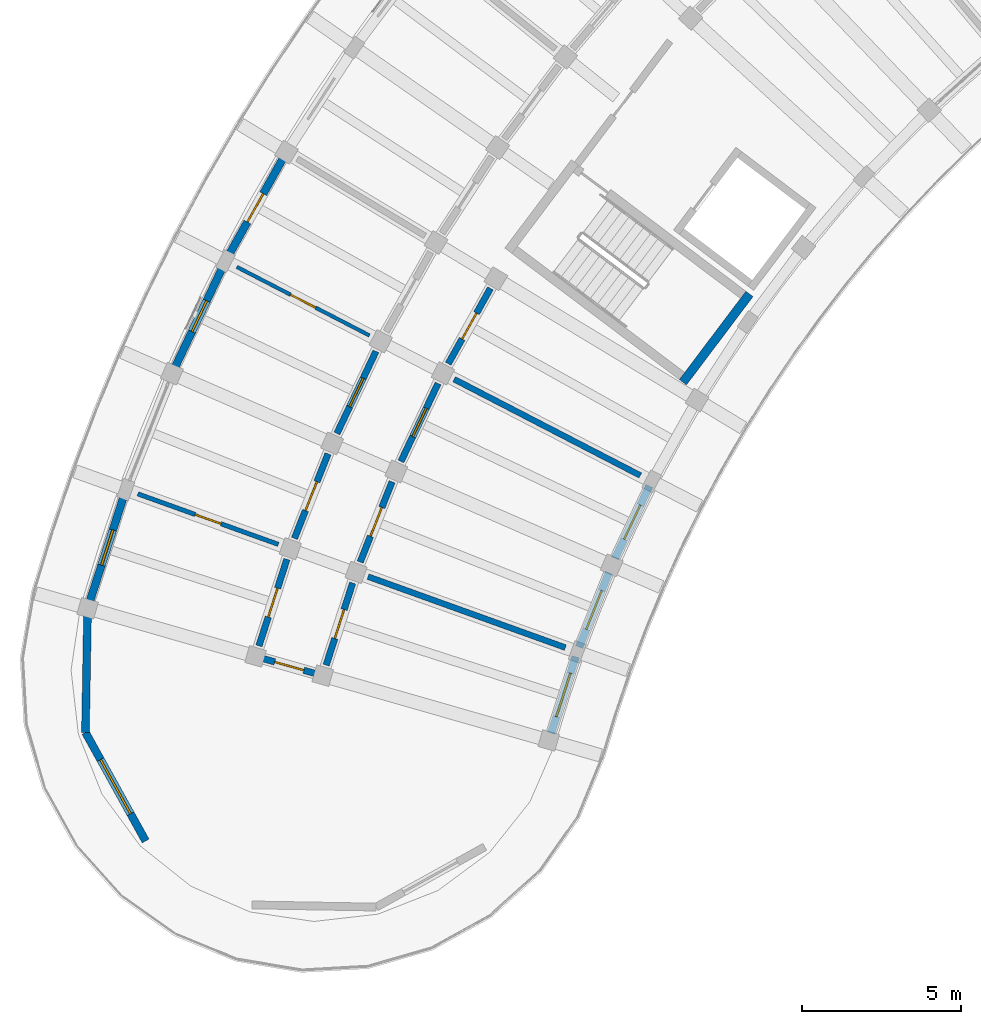
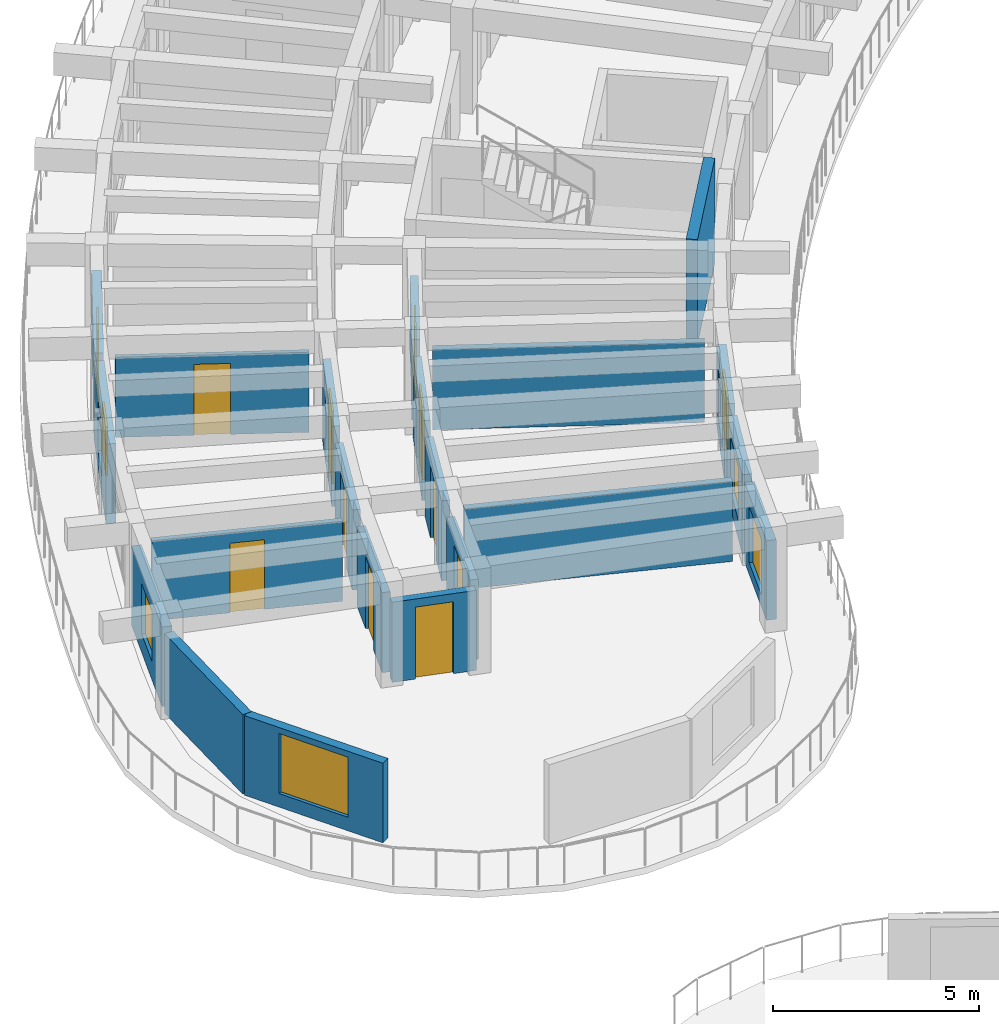
# One storey, part 46 of 81: 21 walls, 11 doors, 6 windows, 17 openings.
"""IFC4 building model written with IfcOpenShell, lengths in metres."""

from ifc_helpers import new_model, si_unit, direction, frame, frame_2d, origin, place, context, subcontext, project, spatial, rectangle, extrude, material, layer, layer_set, type_object, element, fill, save


model = new_model("IFC4")

# Units and contexts
model_context = context("Model", 3, precision=1e-05, world=origin(), true_north=direction((0.0, 1.0)))
body_context = subcontext(model_context, "Body", "Model", "MODEL_VIEW")
ifc_project = project(units=[si_unit("LENGTHUNIT", "METRE"), si_unit("AREAUNIT", "SQUARE_METRE"), si_unit("VOLUMEUNIT", "CUBIC_METRE"), si_unit("PLANEANGLEUNIT", "RADIAN"), si_unit("MASSUNIT", "GRAM", prefix="KILO")], contexts=[model_context])

# Site, building, storey
site_placement = place(None, origin())
site = spatial("IfcSite", under=ifc_project, at=site_placement, CompositionType="ELEMENT")
building_placement = place(site_placement, origin())
building = spatial("IfcBuilding", under=site, at=building_placement, Name="Tanwirah Colonnade Gardens", CompositionType="ELEMENT")
storey_placement = place(building_placement, frame((0.0, 0.0, 18.919921875)))
storey = spatial("IfcBuildingStorey", under=building, at=storey_placement, Name="L05", CompositionType="ELEMENT", Elevation=18.919921875)

# Wall, opening, door
ifc_material_1 = material(Name="Limestone architectural precast concrete C40/50", Category="masonry")
ifc_layer_1 = layer(ifc_material_1, 0.2451171875)
ifc_layer_set_1 = layer_set([ifc_layer_1], Name="Limestone architectural precast concrete C40/50")
wall_type_1 = type_object("IfcWallType", Name="EW-PC245", PredefinedType="SOLIDWALL", material=ifc_layer_set_1)
wall_1_placement = place(storey_placement, frame((13.895751953125, 90.755615234375, 0.0), z_axis=(0.0, 0.0, 1.0), x_axis=(-0.488254917997, -0.872701057093, 0.0)))
wall_1 = element("IfcWall", 1, at=wall_1_placement, inside=storey, type_object=wall_type_1, Name="Block A L05 OUT Precast Facade Wall 14", PredefinedType="SOLIDWALL", context=body_context, shape_type="SweptSolid", body=[
    extrude(rectangle(XDim=3.520751953125, YDim=0.2451171875, at=frame_2d((1.76025390625, 0.0))), origin(), (0.0, 0.0, 1.0), 2.35498046875),
])
opening_1_placement = place(wall_1_placement, frame((1.25048828125, 0.0, 0.0)))
opening_1 = element("IfcOpeningElement", 2, at=opening_1_placement, cuts=wall_1, Name="Opening L05-ED026", PredefinedType="OPENING", context=body_context, shape_type="SweptSolid", body=[
    extrude(rectangle(XDim=1.02001953125, YDim=2.139892578125, at=frame_2d((0.510009765625, 1.06982421875))), frame((0.0, 0.132568359375, 0.0), z_axis=(0.0, -1.0, 0.0), x_axis=(1.0, 0.0, 0.0)), (0.0, 0.0, 1.0), 0.26513671875),
])
ifc_material_2 = material(Name="Bronze aluminium glazed balcony door", Category="aluminium")
door_type_1 = type_object("IfcDoorType", Name="ED-BAL102", OperationType="NOTDEFINED", PredefinedType="DOOR", material=ifc_material_2)
door_1_placement = place(opening_1_placement, origin())
door_1 = element("IfcDoor", 3, at=door_1_placement, inside=storey, type_object=door_type_1, Name="Balcony glazed door L05-ED026", OperationType="SINGLE_SWING_RIGHT", OverallHeight=2.139892578125, OverallWidth=1.02001953125, PredefinedType="DOOR", context=body_context, shape_type="SweptSolid", body=[
    extrude(rectangle(XDim=1.02001953125, YDim=2.139892578125, at=frame_2d((0.510009765625, 1.06982421875))), frame((0.0, 0.02490234375, 0.0), z_axis=(0.0, -1.0, 0.0), x_axis=(1.0, 0.0, 0.0)), (0.0, 0.0, 1.0), 0.050048828125),
])
fill(opening_1, door_1)

# Wall, opening, window
wall_2_placement = place(storey_placement, frame((12.030029296875, 87.39892578125, 0.0), z_axis=(0.0, 0.0, 1.0), x_axis=(-0.429653621352, -0.902993779413, 0.0)))
wall_2 = element("IfcWall", 4, at=wall_2_placement, inside=storey, type_object=wall_type_1, Name="Block A L05 OUT Precast Facade Wall 15", PredefinedType="SOLIDWALL", context=body_context, shape_type="SweptSolid", body=[
    extrude(rectangle(XDim=3.520751953125, YDim=0.2451171875, at=frame_2d((1.76025390625, 0.0))), origin(), (0.0, 0.0, 1.0), 2.35498046875),
])
opening_2_placement = place(wall_2_placement, frame((1.220458984375, 0.0, 0.550048828125)))
opening_2 = element("IfcOpeningElement", 5, at=opening_2_placement, cuts=wall_2, Name="Opening WIN-T15", PredefinedType="OPENING", context=body_context, shape_type="SweptSolid", body=[
    extrude(rectangle(XDim=1.080078125, YDim=1.449951171875, at=frame_2d((0.5400390625, 0.72509765625))), frame((0.0, 0.132568359375, 0.0), z_axis=(0.0, -1.0, 0.0), x_axis=(1.0, 0.0, 0.0)), (0.0, 0.0, 1.0), 0.26513671875),
])
ifc_material_3 = material(Name="Thermally broken bronze aluminium and solar low-E double glazing", Category="aluminium")
window_type_1 = type_object("IfcWindowType", Name="WIN-T15", PartitioningType="SINGLE_PANEL", PredefinedType="WINDOW", material=ifc_material_3)
window_1_placement = place(opening_2_placement, origin())
window_1 = element("IfcWindow", 6, at=window_1_placement, inside=storey, type_object=window_type_1, Name="Facade window A-L05-OUT-15", OverallHeight=1.449951171875, OverallWidth=1.080078125, PartitioningType="SINGLE_PANEL", PredefinedType="WINDOW", context=body_context, shape_type="SweptSolid", body=[
    extrude(rectangle(XDim=1.080078125, YDim=1.449951171875, at=frame_2d((0.5400390625, 0.72509765625))), frame((0.0, 0.030029296875, 0.0), z_axis=(0.0, -1.0, 0.0), x_axis=(1.0, 0.0, 0.0)), (0.0, 0.0, 1.0), 0.06005859375),
])
fill(opening_2, window_1)

wall_3_placement = place(storey_placement, frame((25.444091796875, 80.465576171875, 0.0), z_axis=(0.0, 0.0, 1.0), x_axis=(-0.429610836066, -0.903014135844, 0.0)))
wall_3 = element("IfcWall", 7, at=wall_3_placement, inside=storey, type_object=wall_type_1, Name="Block A L05 IN Precast Facade Wall 15", PredefinedType="SOLIDWALL", context=body_context, shape_type="SweptSolid", body=[
    extrude(rectangle(XDim=2.525390625, YDim=0.2451171875, at=frame_2d((1.2626953125, 0.0))), origin(), (0.0, 0.0, 1.0), 2.35498046875),
])
opening_3_placement = place(wall_3_placement, frame((0.66259765625, 0.0, 0.550048828125)))
opening_3 = element("IfcOpeningElement", 8, at=opening_3_placement, cuts=wall_3, Name="Opening WIN-U02", PredefinedType="OPENING", context=body_context, shape_type="SweptSolid", body=[
    extrude(rectangle(XDim=1.199951171875, YDim=1.510009765625, at=frame_2d((0.60009765625, 0.7548828125))), frame((0.0, 0.132568359375, 0.0), z_axis=(0.0, -1.0, 0.0), x_axis=(1.0, 0.0, 0.0)), (0.0, 0.0, 1.0), 0.26513671875),
])
window_type_2 = type_object("IfcWindowType", Name="WIN-U02", PartitioningType="DOUBLE_PANEL_VERTICAL", PredefinedType="WINDOW", material=ifc_material_3)
window_2_placement = place(opening_3_placement, origin())
window_2 = element("IfcWindow", 9, at=window_2_placement, inside=storey, type_object=window_type_2, Name="Facade window A-L05-IN-15", OverallHeight=1.510009765625, OverallWidth=1.199951171875, PartitioningType="SINGLE_PANEL", PredefinedType="WINDOW", context=body_context, shape_type="SweptSolid", body=[
    extrude(rectangle(XDim=1.199951171875, YDim=1.510009765625, at=frame_2d((0.60009765625, 0.7548828125))), frame((0.0, 0.030029296875, 0.0), z_axis=(0.0, -1.0, 0.0), x_axis=(1.0, 0.0, 0.0)), (0.0, 0.0, 1.0), 0.06005859375),
])
fill(opening_3, window_2)

wall_4_placement = place(storey_placement, frame((24.163330078125, 77.736328125, 0.0), z_axis=(0.0, 0.0, 1.0), x_axis=(-0.369122600107, -0.92938071106, 0.0)))
wall_4 = element("IfcWall", 10, at=wall_4_placement, inside=storey, type_object=wall_type_1, Name="Block A L05 IN Precast Facade Wall 16", PredefinedType="SOLIDWALL", context=body_context, shape_type="SweptSolid", body=[
    extrude(rectangle(XDim=2.525146484375, YDim=0.2451171875, at=frame_2d((1.2626953125, 0.0))), origin(), (0.0, 0.0, 1.0), 2.35498046875),
])
opening_4_placement = place(wall_4_placement, frame((0.6025390625, 0.0, 0.550048828125)))
opening_4 = element("IfcOpeningElement", 11, at=opening_4_placement, cuts=wall_4, Name="Opening WIN-U05", PredefinedType="OPENING", context=body_context, shape_type="SweptSolid", body=[
    extrude(rectangle(XDim=1.320068359375, YDim=1.5849609375, at=frame_2d((0.66015625, 0.79248046875))), frame((0.0, 0.132568359375, 0.0), z_axis=(0.0, -1.0, 0.0), x_axis=(1.0, 0.0, 0.0)), (0.0, 0.0, 1.0), 0.26513671875),
])
window_type_3 = type_object("IfcWindowType", Name="WIN-U05", PartitioningType="DOUBLE_PANEL_VERTICAL", PredefinedType="WINDOW", material=ifc_material_3)
window_3_placement = place(opening_4_placement, origin())
window_3 = element("IfcWindow", 12, at=window_3_placement, inside=storey, type_object=window_type_3, Name="Facade window A-L05-IN-16", OverallHeight=1.5849609375, OverallWidth=1.320068359375, PartitioningType="SINGLE_PANEL", PredefinedType="WINDOW", context=body_context, shape_type="SweptSolid", body=[
    extrude(rectangle(XDim=1.320068359375, YDim=1.5849609375, at=frame_2d((0.66015625, 0.79248046875))), frame((0.0, 0.030029296875, 0.0), z_axis=(0.0, -1.0, 0.0), x_axis=(1.0, 0.0, 0.0)), (0.0, 0.0, 1.0), 0.06005859375),
])
fill(opening_4, window_3)

wall_5_placement = place(storey_placement, frame((8.91357421875, 80.19775390625, 0.0), z_axis=(0.0, 0.0, 1.0), x_axis=(-0.30720538788, -0.951643236543, 0.0)))
wall_5 = element("IfcWall", 13, at=wall_5_placement, inside=storey, type_object=wall_type_1, Name="Block A L05 OUT Precast Facade Wall 17", PredefinedType="SOLIDWALL", context=body_context, shape_type="SweptSolid", body=[
    extrude(rectangle(XDim=3.5205078125, YDim=0.2451171875, at=frame_2d((1.76025390625, 0.0))), origin(), (0.0, 0.0, 1.0), 2.35498046875),
])
opening_5_placement = place(wall_5_placement, frame((1.180419921875, 0.0, 0.550048828125)))
opening_5 = element("IfcOpeningElement", 14, at=opening_5_placement, cuts=wall_5, Name="Opening WIN-U01", PredefinedType="OPENING", context=body_context, shape_type="SweptSolid", body=[
    extrude(rectangle(XDim=1.159912109375, YDim=1.485107421875, at=frame_2d((0.580078125, 0.74267578125))), frame((0.0, 0.132568359375, 0.0), z_axis=(0.0, -1.0, 0.0), x_axis=(1.0, 0.0, 0.0)), (0.0, 0.0, 1.0), 0.26513671875),
])
window_type_4 = type_object("IfcWindowType", Name="WIN-U01", PartitioningType="DOUBLE_PANEL_VERTICAL", PredefinedType="WINDOW", material=ifc_material_3)
window_4_placement = place(opening_5_placement, origin())
window_4 = element("IfcWindow", 15, at=window_4_placement, inside=storey, type_object=window_type_4, Name="Facade window A-L05-OUT-17", OverallHeight=1.485107421875, OverallWidth=1.159912109375, PartitioningType="SINGLE_PANEL", PredefinedType="WINDOW", context=body_context, shape_type="SweptSolid", body=[
    extrude(rectangle(XDim=1.159912109375, YDim=1.485107421875, at=frame_2d((0.580078125, 0.74267578125))), frame((0.0, 0.030029296875, 0.0), z_axis=(0.0, -1.0, 0.0), x_axis=(1.0, 0.0, 0.0)), (0.0, 0.0, 1.0), 0.06005859375),
])
fill(opening_5, window_4)

wall_6_placement = place(storey_placement, frame((23.122802734375, 75.08837890625, 0.0), z_axis=(0.0, 0.0, 1.0), x_axis=(-0.30716379336, -0.951656662903, 0.0)))
wall_6 = element("IfcWall", 16, at=wall_6_placement, inside=storey, type_object=wall_type_1, Name="Block A L05 IN Precast Facade Wall 17", PredefinedType="SOLIDWALL", context=body_context, shape_type="SweptSolid", body=[
    extrude(rectangle(XDim=2.525146484375, YDim=0.2451171875, at=frame_2d((1.2626953125, 0.0))), origin(), (0.0, 0.0, 1.0), 2.35498046875),
])
opening_6_placement = place(wall_6_placement, frame((0.54248046875, 0.0, 0.35009765625)))
opening_6 = element("IfcOpeningElement", 17, at=opening_6_placement, cuts=wall_6, Name="Opening WIN-U08", PredefinedType="OPENING", context=body_context, shape_type="SweptSolid", body=[
    extrude(rectangle(XDim=1.43994140625, YDim=1.659912109375, at=frame_2d((0.719970703125, 0.830078125))), frame((0.0, 0.132568359375, 0.0), z_axis=(0.0, -1.0, 0.0), x_axis=(1.0, 0.0, 0.0)), (0.0, 0.0, 1.0), 0.26513671875),
])
window_type_5 = type_object("IfcWindowType", Name="WIN-U08", PartitioningType="DOUBLE_PANEL_VERTICAL", PredefinedType="WINDOW", material=ifc_material_3)
window_5_placement = place(opening_6_placement, origin())
window_5 = element("IfcWindow", 18, at=window_5_placement, inside=storey, type_object=window_type_5, Name="Facade window A-L05-IN-17", OverallHeight=1.659912109375, OverallWidth=1.43994140625, PartitioningType="SINGLE_PANEL", PredefinedType="WINDOW", context=body_context, shape_type="SweptSolid", body=[
    extrude(rectangle(XDim=1.43994140625, YDim=1.659912109375, at=frame_2d((0.719970703125, 0.830078125))), frame((0.0, 0.030029296875, 0.0), z_axis=(0.0, -1.0, 0.0), x_axis=(1.0, 0.0, 0.0)), (0.0, 0.0, 1.0), 0.06005859375),
])
fill(opening_6, window_5)

wall_7_placement = place(storey_placement, frame((9.58349609375, 69.28857421875, 0.0), z_axis=(0.0, 0.0, 1.0), x_axis=(-0.484841794757, 0.874601871743, 0.0)))
wall_7 = element("IfcWall", 19, at=wall_7_placement, inside=storey, type_object=wall_type_1, Name="Block A L05 END Rounded End Wall 4", PredefinedType="SOLIDWALL", context=body_context, shape_type="SweptSolid", body=[
    extrude(rectangle(XDim=3.907958984375, YDim=0.2451171875, at=frame_2d((1.9541015625, 0.0))), origin(), (0.0, 0.0, 1.0), 2.35498046875),
])
opening_7_placement = place(wall_7_placement, frame((0.97900390625, 0.0, 0.39990234375)))
opening_7 = element("IfcOpeningElement", 20, at=opening_7_placement, cuts=wall_7, Name="Opening WIN-END2", PredefinedType="OPENING", context=body_context, shape_type="SweptSolid", body=[
    extrude(rectangle(XDim=1.949951171875, YDim=1.780029296875, at=frame_2d((0.97509765625, 0.89013671875))), frame((0.0, 0.132568359375, 0.0), z_axis=(0.0, -1.0, 0.0), x_axis=(1.0, 0.0, 0.0)), (0.0, 0.0, 1.0), 0.26513671875),
])
window_type_6 = type_object("IfcWindowType", Name="WIN-END2", PartitioningType="TRIPLE_PANEL_VERTICAL", PredefinedType="WINDOW", material=ifc_material_3)
window_6_placement = place(opening_7_placement, origin())
window_6 = element("IfcWindow", 21, at=window_6_placement, inside=storey, type_object=window_type_6, Name="Rounded corner window A-L05-END-4", OverallHeight=1.780029296875, OverallWidth=1.949951171875, PartitioningType="SINGLE_PANEL", PredefinedType="WINDOW", context=body_context, shape_type="SweptSolid", body=[
    extrude(rectangle(XDim=1.949951171875, YDim=1.780029296875, at=frame_2d((0.97509765625, 0.89013671875))), frame((0.0, 0.030029296875, 0.0), z_axis=(0.0, -1.0, 0.0), x_axis=(1.0, 0.0, 0.0)), (0.0, 0.0, 1.0), 0.06005859375),
])
fill(opening_7, window_6)

# Wall
wall_8_placement = place(storey_placement, frame((7.688720703125, 72.70654296875, 0.0), z_axis=(0.0, 0.0, 1.0), x_axis=(0.017428315893, 0.999848115368, 0.0)))
element("IfcWall", 22, at=wall_8_placement, inside=storey, type_object=wall_type_1, Name="Block A L05 END Rounded End Wall 5", PredefinedType="SOLIDWALL", context=body_context, shape_type="SweptSolid", body=[
    extrude(rectangle(XDim=3.908203125, YDim=0.2451171875, at=frame_2d((1.9541015625, 0.0))), origin(), (0.0, 0.0, 1.0), 2.35498046875),
])

# Wall, opening, door
ifc_material_4 = material(Name="Precast concrete C40/50", Category="concrete")
ifc_layer_2 = layer(ifc_material_4, 0.205078125)
ifc_layer_set_2 = layer_set([ifc_layer_2], Name="Precast concrete C40/50")
wall_type_2 = type_object("IfcWallType", Name="IW-CORR205", PredefinedType="PARTITIONING", material=ifc_layer_set_2)
wall_9_placement = place(storey_placement, frame((20.436767578125, 86.685302734375, 0.0), z_axis=(0.0, 0.0, 1.0), x_axis=(-0.48819576874, -0.872734147025, 0.0)))
wall_9 = element("IfcWall", 23, at=wall_9_placement, inside=storey, type_object=wall_type_2, Name="Block A L05 IN Corridor Wall 14", PredefinedType="PARTITIONING", context=body_context, shape_type="SweptSolid", body=[
    extrude(rectangle(XDim=2.718017578125, YDim=0.205078125, at=frame_2d((1.35888671875, 0.0))), origin(), (0.0, 0.0, 1.0), 2.3701171875),
])
opening_8_placement = place(wall_9_placement, frame((0.89404296875, 0.0, 0.0)))
opening_8 = element("IfcOpeningElement", 24, at=opening_8_placement, cuts=wall_9, Name="Opening L05-AD461", PredefinedType="OPENING", context=body_context, shape_type="SweptSolid", body=[
    extrude(rectangle(XDim=0.929931640625, YDim=2.1201171875, at=frame_2d((0.46484375, 1.06005859375))), frame((0.0, 0.112548828125, 0.0), z_axis=(0.0, -1.0, 0.0), x_axis=(1.0, 0.0, 0.0)), (0.0, 0.0, 1.0), 0.22509765625),
])
ifc_material_5 = material(Name="Solid oak fire-resisting apartment entrance door")
door_type_2 = type_object("IfcDoorType", Name="ID-FLT093", OperationType="NOTDEFINED", PredefinedType="DOOR", material=ifc_material_5)
door_2_placement = place(opening_8_placement, origin())
door_2 = element("IfcDoor", 25, at=door_2_placement, inside=storey, type_object=door_type_2, Name="Apartment corridor door L05-AD461", OperationType="SINGLE_SWING_LEFT", OverallHeight=2.1201171875, OverallWidth=0.929931640625, PredefinedType="DOOR", context=body_context, shape_type="SweptSolid", body=[
    extrude(rectangle(XDim=0.929931640625, YDim=2.1201171875, at=frame_2d((0.46484375, 1.06005859375))), frame((0.0, 0.02490234375, 0.0), z_axis=(0.0, -1.0, 0.0), x_axis=(1.0, 0.0, 0.0)), (0.0, 0.0, 1.0), 0.050048828125),
])
fill(opening_8, door_2)

wall_10_placement = place(storey_placement, frame((16.834228515625, 84.701904296875, 0.0), z_axis=(0.0, 0.0, 1.0), x_axis=(-0.429595933416, -0.90302122566, 0.0)))
wall_10 = element("IfcWall", 26, at=wall_10_placement, inside=storey, type_object=wall_type_2, Name="Block A L05 OUT Corridor Wall 15", PredefinedType="PARTITIONING", context=body_context, shape_type="SweptSolid", body=[
    extrude(rectangle(XDim=2.863037109375, YDim=0.205078125, at=frame_2d((1.431640625, 0.0))), origin(), (0.0, 0.0, 1.0), 2.3701171875),
])
opening_9_placement = place(wall_10_placement, frame((0.9365234375, 0.0, 0.0)))
opening_9 = element("IfcOpeningElement", 27, at=opening_9_placement, cuts=wall_10, Name="Opening L05-AD463", PredefinedType="OPENING", context=body_context, shape_type="SweptSolid", body=[
    extrude(rectangle(XDim=0.989990234375, YDim=2.159912109375, at=frame_2d((0.4951171875, 1.080078125))), frame((0.0, 0.112548828125, 0.0), z_axis=(0.0, -1.0, 0.0), x_axis=(1.0, 0.0, 0.0)), (0.0, 0.0, 1.0), 0.22509765625),
])
door_type_3 = type_object("IfcDoorType", Name="ID-FLT099", OperationType="NOTDEFINED", PredefinedType="DOOR", material=ifc_material_5)
door_3_placement = place(opening_9_placement, origin())
door_3 = element("IfcDoor", 28, at=door_3_placement, inside=storey, type_object=door_type_3, Name="Apartment corridor door L05-AD463", OperationType="SINGLE_SWING_LEFT", OverallHeight=2.159912109375, OverallWidth=0.989990234375, PredefinedType="DOOR", context=body_context, shape_type="SweptSolid", body=[
    extrude(rectangle(XDim=0.989990234375, YDim=2.159912109375, at=frame_2d((0.4951171875, 1.080078125))), frame((0.0, 0.02490234375, 0.0), z_axis=(0.0, -1.0, 0.0), x_axis=(1.0, 0.0, 0.0)), (0.0, 0.0, 1.0), 0.050048828125),
])
fill(opening_9, door_3)

wall_11_placement = place(storey_placement, frame((18.78857421875, 83.691650390625, 0.0), z_axis=(0.0, 0.0, 1.0), x_axis=(-0.429630211913, -0.90300491749, 0.0)))
wall_11 = element("IfcWall", 29, at=wall_11_placement, inside=storey, type_object=wall_type_2, Name="Block A L05 IN Corridor Wall 15", PredefinedType="PARTITIONING", context=body_context, shape_type="SweptSolid", body=[
    extrude(rectangle(XDim=2.718017578125, YDim=0.205078125, at=frame_2d((1.35888671875, 0.0))), origin(), (0.0, 0.0, 1.0), 2.3701171875),
])
opening_10_placement = place(wall_11_placement, frame((0.864013671875, 0.0, 0.0)))
opening_10 = element("IfcOpeningElement", 30, at=opening_10_placement, cuts=wall_11, Name="Opening L05-AD464", PredefinedType="OPENING", context=body_context, shape_type="SweptSolid", body=[
    extrude(rectangle(XDim=0.989990234375, YDim=2.159912109375, at=frame_2d((0.4951171875, 1.080078125))), frame((0.0, 0.112548828125, 0.0), z_axis=(0.0, -1.0, 0.0), x_axis=(1.0, 0.0, 0.0)), (0.0, 0.0, 1.0), 0.22509765625),
])
door_4_placement = place(opening_10_placement, origin())
door_4 = element("IfcDoor", 31, at=door_4_placement, inside=storey, type_object=door_type_3, Name="Apartment corridor door L05-AD464", OperationType="SINGLE_SWING_RIGHT", OverallHeight=2.159912109375, OverallWidth=0.989990234375, PredefinedType="DOOR", context=body_context, shape_type="SweptSolid", body=[
    extrude(rectangle(XDim=0.989990234375, YDim=2.159912109375, at=frame_2d((0.4951171875, 1.080078125))), frame((0.0, 0.02490234375, 0.0), z_axis=(0.0, -1.0, 0.0), x_axis=(1.0, 0.0, 0.0)), (0.0, 0.0, 1.0), 0.050048828125),
])
fill(opening_10, door_4)

wall_12_placement = place(storey_placement, frame((15.32470703125, 81.47509765625, 0.0), z_axis=(0.0, 0.0, 1.0), x_axis=(-0.369213832442, -0.929344471083, 0.0)))
wall_12 = element("IfcWall", 32, at=wall_12_placement, inside=storey, type_object=wall_type_2, Name="Block A L05 OUT Corridor Wall 16", PredefinedType="PARTITIONING", context=body_context, shape_type="SweptSolid", body=[
    extrude(rectangle(XDim=2.86328125, YDim=0.205078125, at=frame_2d((1.431640625, 0.0))), origin(), (0.0, 0.0, 1.0), 2.3701171875),
])
opening_11_placement = place(wall_12_placement, frame((0.946533203125, 0.0, 0.0)))
opening_11 = element("IfcOpeningElement", 33, at=opening_11_placement, cuts=wall_12, Name="Opening L05-AD465", PredefinedType="OPENING", context=body_context, shape_type="SweptSolid", body=[
    extrude(rectangle(XDim=0.969970703125, YDim=2.14990234375, at=frame_2d((0.48486328125, 1.074951171875))), frame((0.0, 0.112548828125, 0.0), z_axis=(0.0, -1.0, 0.0), x_axis=(1.0, 0.0, 0.0)), (0.0, 0.0, 1.0), 0.22509765625),
])
door_type_4 = type_object("IfcDoorType", Name="ID-FLT097", OperationType="NOTDEFINED", PredefinedType="DOOR", material=ifc_material_5)
door_5_placement = place(opening_11_placement, origin())
door_5 = element("IfcDoor", 34, at=door_5_placement, inside=storey, type_object=door_type_4, Name="Apartment corridor door L05-AD465", OperationType="SINGLE_SWING_RIGHT", OverallHeight=2.14990234375, OverallWidth=0.969970703125, PredefinedType="DOOR", context=body_context, shape_type="SweptSolid", body=[
    extrude(rectangle(XDim=0.969970703125, YDim=2.14990234375, at=frame_2d((0.48486328125, 1.074951171875))), frame((0.0, 0.02490234375, 0.0), z_axis=(0.0, -1.0, 0.0), x_axis=(1.0, 0.0, 0.0)), (0.0, 0.0, 1.0), 0.050048828125),
])
fill(opening_11, door_5)

wall_13_placement = place(storey_placement, frame((17.34130859375, 80.595947265625, 0.0), z_axis=(0.0, 0.0, 1.0), x_axis=(-0.369237170461, -0.929335198919, 0.0)))
wall_13 = element("IfcWall", 35, at=wall_13_placement, inside=storey, type_object=wall_type_2, Name="Block A L05 IN Corridor Wall 16", PredefinedType="PARTITIONING", context=body_context, shape_type="SweptSolid", body=[
    extrude(rectangle(XDim=2.71826171875, YDim=0.205078125, at=frame_2d((1.359130859375, 0.0))), origin(), (0.0, 0.0, 1.0), 2.3701171875),
])
opening_12_placement = place(wall_13_placement, frame((0.8740234375, 0.0, 0.0)))
opening_12 = element("IfcOpeningElement", 36, at=opening_12_placement, cuts=wall_13, Name="Opening L05-AD466", PredefinedType="OPENING", context=body_context, shape_type="SweptSolid", body=[
    extrude(rectangle(XDim=0.969970703125, YDim=2.14990234375, at=frame_2d((0.48486328125, 1.074951171875))), frame((0.0, 0.112548828125, 0.0), z_axis=(0.0, -1.0, 0.0), x_axis=(1.0, 0.0, 0.0)), (0.0, 0.0, 1.0), 0.22509765625),
])
door_6_placement = place(opening_12_placement, origin())
door_6 = element("IfcDoor", 37, at=door_6_placement, inside=storey, type_object=door_type_4, Name="Apartment corridor door L05-AD466", OperationType="SINGLE_SWING_LEFT", OverallHeight=2.14990234375, OverallWidth=0.969970703125, PredefinedType="DOOR", context=body_context, shape_type="SweptSolid", body=[
    extrude(rectangle(XDim=0.969970703125, YDim=2.14990234375, at=frame_2d((0.48486328125, 1.074951171875))), frame((0.0, 0.02490234375, 0.0), z_axis=(0.0, -1.0, 0.0), x_axis=(1.0, 0.0, 0.0)), (0.0, 0.0, 1.0), 0.050048828125),
])
fill(opening_12, door_6)

wall_14_placement = place(storey_placement, frame((14.03076171875, 78.156005859375, 0.0), z_axis=(0.0, 0.0, 1.0), x_axis=(-0.307132325305, -0.951666819193, 0.0)))
wall_14 = element("IfcWall", 38, at=wall_14_placement, inside=storey, type_object=wall_type_2, Name="Block A L05 OUT Corridor Wall 17", PredefinedType="PARTITIONING", context=body_context, shape_type="SweptSolid", body=[
    extrude(rectangle(XDim=2.86328125, YDim=0.205078125, at=frame_2d((1.431640625, 0.0))), origin(), (0.0, 0.0, 1.0), 2.3701171875),
])
opening_13_placement = place(wall_14_placement, frame((0.95654296875, 0.0, 0.0)))
opening_13 = element("IfcOpeningElement", 39, at=opening_13_placement, cuts=wall_14, Name="Opening L05-AD468", PredefinedType="OPENING", context=body_context, shape_type="SweptSolid", body=[
    extrude(rectangle(XDim=0.949951171875, YDim=2.1298828125, at=frame_2d((0.47509765625, 1.06494140625))), frame((0.0, 0.112548828125, 0.0), z_axis=(0.0, -1.0, 0.0), x_axis=(1.0, 0.0, 0.0)), (0.0, 0.0, 1.0), 0.22509765625),
])
door_type_5 = type_object("IfcDoorType", Name="ID-FLT095", OperationType="NOTDEFINED", PredefinedType="DOOR", material=ifc_material_5)
door_7_placement = place(opening_13_placement, origin())
door_7 = element("IfcDoor", 40, at=door_7_placement, inside=storey, type_object=door_type_5, Name="Apartment corridor door L05-AD468", OperationType="SINGLE_SWING_LEFT", OverallHeight=2.1298828125, OverallWidth=0.949951171875, PredefinedType="DOOR", context=body_context, shape_type="SweptSolid", body=[
    extrude(rectangle(XDim=0.949951171875, YDim=2.1298828125, at=frame_2d((0.47509765625, 1.06494140625))), frame((0.0, 0.02490234375, 0.0), z_axis=(0.0, -1.0, 0.0), x_axis=(1.0, 0.0, 0.0)), (0.0, 0.0, 1.0), 0.050048828125),
])
fill(opening_13, door_7)

wall_15_placement = place(storey_placement, frame((16.10107421875, 77.41162109375, 0.0), z_axis=(0.0, 0.0, 1.0), x_axis=(-0.307186478934, -0.95164934044, 0.0)))
wall_15 = element("IfcWall", 41, at=wall_15_placement, inside=storey, type_object=wall_type_2, Name="Block A L05 IN Corridor Wall 17", PredefinedType="PARTITIONING", context=body_context, shape_type="SweptSolid", body=[
    extrude(rectangle(XDim=2.718017578125, YDim=0.205078125, at=frame_2d((1.35888671875, 0.0))), origin(), (0.0, 0.0, 1.0), 2.3701171875),
])
opening_14_placement = place(wall_15_placement, frame((0.884033203125, 0.0, 0.0)))
opening_14 = element("IfcOpeningElement", 42, at=opening_14_placement, cuts=wall_15, Name="Opening L05-AD469", PredefinedType="OPENING", context=body_context, shape_type="SweptSolid", body=[
    extrude(rectangle(XDim=0.949951171875, YDim=2.1298828125, at=frame_2d((0.47509765625, 1.06494140625))), frame((0.0, 0.112548828125, 0.0), z_axis=(0.0, -1.0, 0.0), x_axis=(1.0, 0.0, 0.0)), (0.0, 0.0, 1.0), 0.22509765625),
])
door_8_placement = place(opening_14_placement, origin())
door_8 = element("IfcDoor", 43, at=door_8_placement, inside=storey, type_object=door_type_5, Name="Apartment corridor door L05-AD469", OperationType="SINGLE_SWING_RIGHT", OverallHeight=2.1298828125, OverallWidth=0.949951171875, PredefinedType="DOOR", context=body_context, shape_type="SweptSolid", body=[
    extrude(rectangle(XDim=0.949951171875, YDim=2.1298828125, at=frame_2d((0.47509765625, 1.06494140625))), frame((0.0, 0.02490234375, 0.0), z_axis=(0.0, -1.0, 0.0), x_axis=(1.0, 0.0, 0.0)), (0.0, 0.0, 1.0), 0.050048828125),
])
fill(opening_14, door_8)

wall_16_placement = place(storey_placement, frame((15.110595703125, 74.505615234375, 0.0), z_axis=(0.0, 0.0, 1.0), x_axis=(-0.961264701934, 0.275626872449, 0.0)))
wall_16 = element("IfcWall", 44, at=wall_16_placement, inside=storey, type_object=wall_type_2, Name="Block A L05 CE Corner Suite Corridor Wall", PredefinedType="PARTITIONING", context=body_context, shape_type="SweptSolid", body=[
    extrude(rectangle(XDim=2.10009765625, YDim=0.205078125, at=frame_2d((1.050048828125, 0.0))), origin(), (0.0, 0.0, 1.0), 2.3701171875),
])
opening_15_placement = place(wall_16_placement, frame((0.570068359375, 0.0, 0.0)))
opening_15 = element("IfcOpeningElement", 45, at=opening_15_placement, cuts=wall_16, Name="Opening L05-CD471", PredefinedType="OPENING", context=body_context, shape_type="SweptSolid", body=[
    extrude(rectangle(XDim=0.949951171875, YDim=2.1298828125, at=frame_2d((0.47509765625, 1.06494140625))), frame((0.0, 0.112548828125, 0.0), z_axis=(0.0, -1.0, 0.0), x_axis=(1.0, 0.0, 0.0)), (0.0, 0.0, 1.0), 0.22509765625),
])
door_9_placement = place(opening_15_placement, origin())
door_9 = element("IfcDoor", 46, at=door_9_placement, inside=storey, type_object=door_type_5, Name="Corner suite entrance door L05-CD471", OperationType="SINGLE_SWING_RIGHT", OverallHeight=2.1298828125, OverallWidth=0.949951171875, PredefinedType="DOOR", context=body_context, shape_type="SweptSolid", body=[
    extrude(rectangle(XDim=0.949951171875, YDim=2.1298828125, at=frame_2d((0.47509765625, 1.06494140625))), frame((0.0, 0.02490234375, 0.0), z_axis=(0.0, -1.0, 0.0), x_axis=(1.0, 0.0, 0.0)), (0.0, 0.0, 1.0), 0.050048828125),
])
fill(opening_15, door_9)

# Walls
ifc_layer_3 = layer(ifc_material_4, 0.18505859375)
ifc_layer_set_3 = layer_set([ifc_layer_3], Name="Precast concrete C40/50")
wall_type_3 = type_object("IfcWallType", Name="IW-DEM185", PredefinedType="PARTITIONING", material=ifc_layer_set_3)
wall_17_placement = place(storey_placement, frame((25.157470703125, 80.793701171875, 0.0), z_axis=(0.0, 0.0, 1.0), x_axis=(-0.888346696024, 0.459173330741, 0.0)))
element("IfcWall", 47, at=wall_17_placement, inside=storey, type_object=wall_type_3, Name="Block A L05 Inner Radial Partition 14", PredefinedType="PARTITIONING", context=body_context, shape_type="SweptSolid", body=[
    extrude(rectangle(XDim=6.599853515625, YDim=0.18505859375, at=frame_2d((3.2998046875, 0.0))), origin(), (0.0, 0.0, 1.0), 2.3701171875),
])
wall_18_placement = place(storey_placement, frame((22.795654296875, 75.3759765625, 0.0), z_axis=(0.0, 0.0, 1.0), x_axis=(-0.941005714099, 0.338390670725, 0.0)))
element("IfcWall", 48, at=wall_18_placement, inside=storey, type_object=wall_type_3, Name="Block A L05 Inner Radial Partition 16", PredefinedType="PARTITIONING", context=body_context, shape_type="SweptSolid", body=[
    extrude(rectangle(XDim=6.60009765625, YDim=0.18505859375, at=frame_2d((3.300048828125, 0.0))), origin(), (0.0, 0.0, 1.0), 2.3701171875),
])

# Wall, opening, door
ifc_material_6 = material(Name="Acoustic gypsum stud partition")
ifc_layer_4 = layer(ifc_material_6, 0.114990234375)
ifc_layer_set_4 = layer_set([ifc_layer_4], Name="Acoustic gypsum stud partition")
wall_type_4 = type_object("IfcWallType", Name="IW-INT115", PredefinedType="PARTITIONING", material=ifc_layer_set_4)
wall_19_placement = place(storey_placement, frame((16.62939453125, 85.20166015625, 0.0), z_axis=(0.0, 0.0, 1.0), x_axis=(-0.88836305433, 0.459141681512, 0.0)))
wall_19 = element("IfcWall", 49, at=wall_19_placement, inside=storey, type_object=wall_type_4, Name="Block A L05 Radial Partition 14", PredefinedType="PARTITIONING", context=body_context, shape_type="SweptSolid", body=[
    extrude(rectangle(XDim=4.699951171875, YDim=0.114990234375, at=frame_2d((2.35009765625, 0.0))), origin(), (0.0, 0.0, 1.0), 2.3701171875),
])
opening_16_placement = place(wall_19_placement, frame((1.905029296875, 0.0, 0.0)))
opening_16 = element("IfcOpeningElement", 50, at=opening_16_placement, cuts=wall_19, Name="Opening L05-RD462", PredefinedType="OPENING", context=body_context, shape_type="SweptSolid", body=[
    extrude(rectangle(XDim=0.889892578125, YDim=2.10009765625, at=frame_2d((0.44482421875, 1.050048828125))), frame((0.0, 0.0673828125, 0.0), z_axis=(0.0, -1.0, 0.0), x_axis=(1.0, 0.0, 0.0)), (0.0, 0.0, 1.0), 0.135009765625),
])
ifc_material_7 = material(Name="Painted hardwood bedroom door", Category="wood")
door_type_6 = type_object("IfcDoorType", Name="ID-RM089", OperationType="NOTDEFINED", PredefinedType="DOOR", material=ifc_material_7)
door_10_placement = place(opening_16_placement, origin())
door_10 = element("IfcDoor", 51, at=door_10_placement, inside=storey, type_object=door_type_6, Name="Internal apartment door L05-RD462", OperationType="SINGLE_SWING_RIGHT", OverallHeight=2.10009765625, OverallWidth=0.889892578125, PredefinedType="DOOR", context=body_context, shape_type="SweptSolid", body=[
    extrude(rectangle(XDim=0.889892578125, YDim=2.10009765625, at=frame_2d((0.44482421875, 1.050048828125))), frame((0.0, 0.02490234375, 0.0), z_axis=(0.0, -1.0, 0.0), x_axis=(1.0, 0.0, 0.0)), (0.0, 0.0, 1.0), 0.050048828125),
])
fill(opening_16, door_10)

ifc_material_8 = material(Name="Water-resistant acoustic plumbing partition")
ifc_layer_5 = layer(ifc_material_8, 0.139892578125)
ifc_layer_set_5 = layer_set([ifc_layer_5], Name="Water-resistant acoustic plumbing partition")
wall_type_5 = type_object("IfcWallType", Name="IW-WET140", PredefinedType="PLUMBINGWALL", material=ifc_layer_set_5)
wall_20_placement = place(storey_placement, frame((13.761962890625, 78.62451171875, 0.0), z_axis=(0.0, 0.0, 1.0), x_axis=(-0.941015806044, 0.338362605463, 0.0)))
wall_20 = element("IfcWall", 52, at=wall_20_placement, inside=storey, type_object=wall_type_5, Name="Block A L05 Radial Partition 16", PredefinedType="PLUMBINGWALL", context=body_context, shape_type="SweptSolid", body=[
    extrude(rectangle(XDim=4.7001953125, YDim=0.139892578125, at=frame_2d((2.35009765625, 0.0))), origin(), (0.0, 0.0, 1.0), 2.3701171875),
])
opening_17_placement = place(wall_20_placement, frame((1.919921875, 0.0, 0.0)))
opening_17 = element("IfcOpeningElement", 53, at=opening_17_placement, cuts=wall_20, Name="Opening L05-RD467", PredefinedType="OPENING", context=body_context, shape_type="SweptSolid", body=[
    extrude(rectangle(XDim=0.860107421875, YDim=2.06005859375, at=frame_2d((0.43017578125, 1.030029296875))), frame((0.0, 0.079833984375, 0.0), z_axis=(0.0, -1.0, 0.0), x_axis=(1.0, 0.0, 0.0)), (0.0, 0.0, 1.0), 0.159912109375),
])
ifc_material_9 = material(Name="Moisture-resistant bathroom door")
door_type_7 = type_object("IfcDoorType", Name="ID-WET086", OperationType="NOTDEFINED", PredefinedType="DOOR", material=ifc_material_9)
door_11_placement = place(opening_17_placement, origin())
door_11 = element("IfcDoor", 54, at=door_11_placement, inside=storey, type_object=door_type_7, Name="Internal apartment door L05-RD467", OperationType="SINGLE_SWING_RIGHT", OverallHeight=2.06005859375, OverallWidth=0.860107421875, PredefinedType="DOOR", context=body_context, shape_type="SweptSolid", body=[
    extrude(rectangle(XDim=0.860107421875, YDim=2.06005859375, at=frame_2d((0.43017578125, 1.030029296875))), frame((0.0, 0.02490234375, 0.0), z_axis=(0.0, -1.0, 0.0), x_axis=(1.0, 0.0, 0.0)), (0.0, 0.0, 1.0), 0.050048828125),
])
fill(opening_17, door_11)

# Wall
ifc_material_10 = material(Name="Concrete C45/55", Category="concrete")
ifc_layer_6 = layer(ifc_material_10, 0.280029296875)
ifc_layer_set_6 = layer_set([ifc_layer_6], Name="Concrete C45/55")
wall_type_6 = type_object("IfcWallType", Name="SW-CORE280", PredefinedType="SHEAR", material=ifc_layer_set_6)
wall_21_placement = place(storey_placement, frame((26.497314453125, 83.7294921875, 0.0), z_axis=(0.0, 0.0, 1.0), x_axis=(0.601794470585, 0.798650997102, 0.0)))
element("IfcWall", 55, at=wall_21_placement, inside=storey, type_object=wall_type_6, Name="CORE-A2 L05 Stair Shaft Shear Wall FAR", PredefinedType="SHEAR", context=body_context, shape_type="SweptSolid", body=[
    extrude(rectangle(XDim=3.47998046875, YDim=0.280029296875, at=frame_2d((1.739990234375, 0.0))), origin(), (0.0, 0.0, 1.0), 3.110107421875),
])

save(model, "model.ifc")
